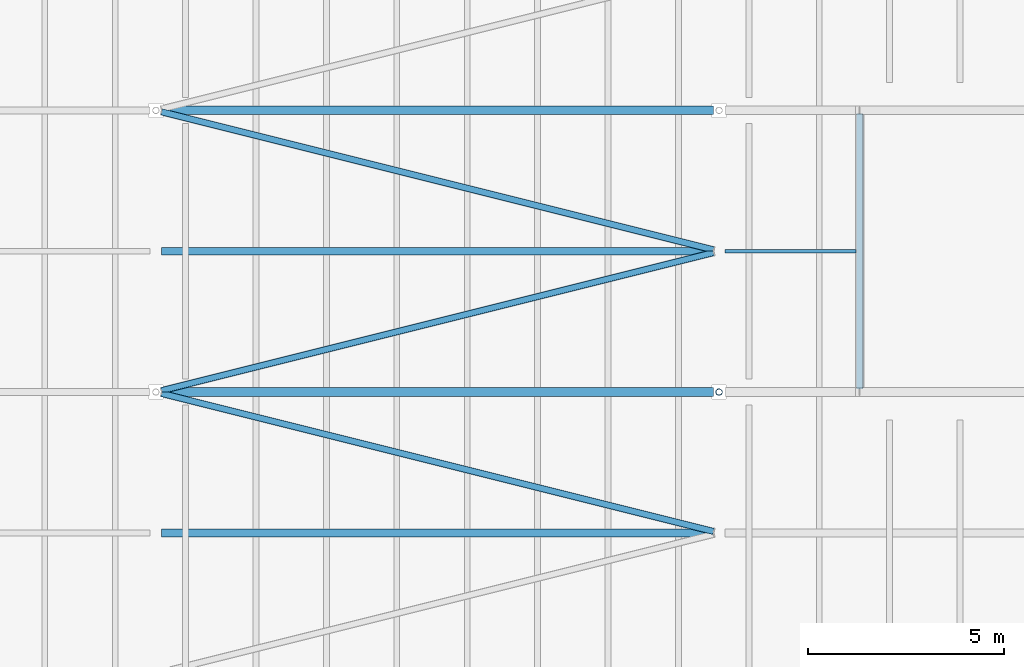
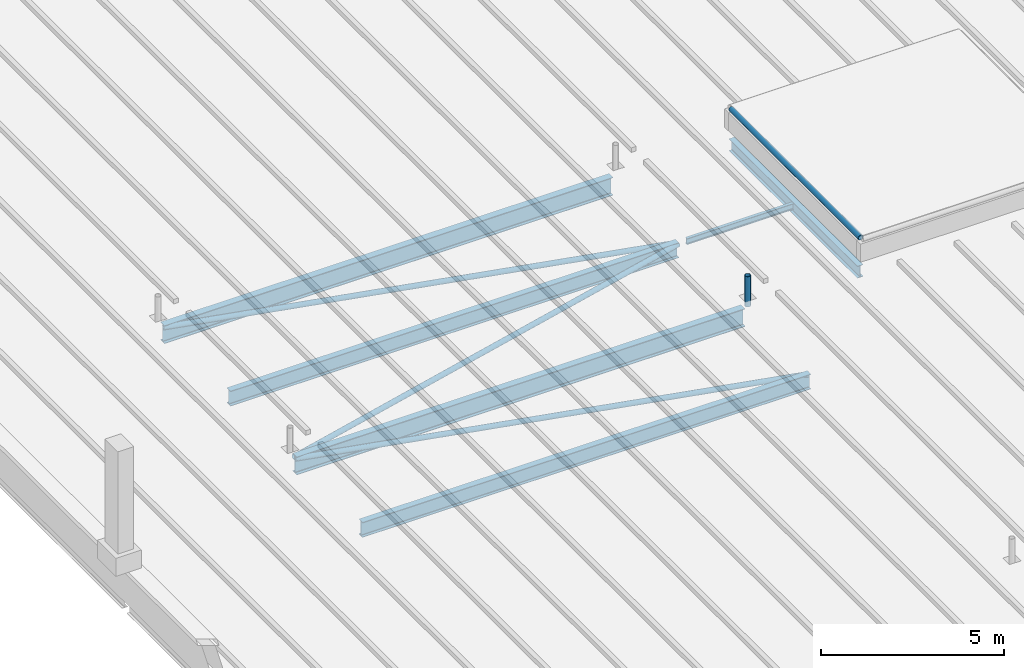
# One storey, part 20 of 120: 6 beams, 5 members.
"""IFC4 building model written with IfcOpenShell, lengths in metres."""

from ifc_helpers import new_model, si_unit, direction, frame, origin, origin_2d, place, context, subcontext, project, spatial, hollow_circle, i_section, extrude, material, material_profile, profile_set, type_object, element, save


model = new_model("IFC4")

# Units and contexts
model_context = context("Model", 3, precision=1e-05, world=origin(), true_north=direction((0.0, 1.0)))
body_context = subcontext(model_context, "Body", "Model", "MODEL_VIEW")
ifc_project = project(units=[si_unit("LENGTHUNIT", "METRE"), si_unit("AREAUNIT", "SQUARE_METRE"), si_unit("VOLUMEUNIT", "CUBIC_METRE"), si_unit("PLANEANGLEUNIT", "RADIAN"), si_unit("MASSUNIT", "GRAM", prefix="KILO")], contexts=[model_context])

# Site, building, storey
site_placement = place(None, origin())
site = spatial("IfcSite", under=ifc_project, at=site_placement, CompositionType="ELEMENT")
building_placement = place(site_placement, origin())
building = spatial("IfcBuilding", under=site, at=building_placement, Name="Kupolbacken Congress Centre", CompositionType="ELEMENT")
storey_placement = place(building_placement, frame((0.0, 0.0, 21.60009765625)))
storey = spatial("IfcBuildingStorey", under=building, at=storey_placement, Name="L06", CompositionType="ELEMENT", Elevation=21.60009765625)

# Beams
ifc_material_1 = material(Name="Steel S355", Category="steel")
ifc_material_profile_1 = material_profile(ifc_material_1, i_section(OverallWidth=0.10009765625, OverallDepth=0.199951171875, WebThickness=0.005615234375, FlangeThickness=0.008544921875, FilletRadius=0.011962890625, at=origin_2d()), Name="IPE 200")
ifc_profile_set_1 = profile_set([ifc_material_profile_1], Name="Steel S355")
beam_type_1 = type_object("IfcBeamType", Name="B01 beam IPE 200", PredefinedType="BEAM", material=ifc_profile_set_1)
beam_1_placement = place(storey_placement, frame((108.14501953125, 79.199951171875, -0.10009765625), z_axis=(1.0, 0.0, 0.0), x_axis=(0.0, 1.0, 0.0)))
element("IfcBeam", 1, at=beam_1_placement, inside=storey, type_object=beam_type_1, Name="HR/P10-02-0", PredefinedType="BEAM", context=body_context, shape_type="SweptSolid", body=[
    extrude(i_section(OverallWidth=0.10009765625, OverallDepth=0.199951171875, WebThickness=0.005615234375, FlangeThickness=0.008544921875, FilletRadius=0.011962890625, at=origin_2d()), origin(), (0.0, 0.0, 1.0), 3.35498046875),
])
ifc_material_2 = material(Name="Steel S355", Category="steel")
ifc_material_profile_2 = material_profile(ifc_material_2, i_section(OverallWidth=0.179931640625, OverallDepth=0.39990234375, WebThickness=0.008544921875, FlangeThickness=0.013427734375, FilletRadius=0.02099609375, at=origin_2d()), Name="IPE 400")
ifc_profile_set_2 = profile_set([ifc_material_profile_2], Name="Steel S355")
beam_type_2 = type_object("IfcBeamType", Name="B07 beam IPE 400", PredefinedType="BEAM", material=ifc_profile_set_2)
beam_2_placement = place(storey_placement, frame((111.60009765625, 75.699951171875, -0.2001953125), z_axis=(0.0, 1.0, 0.0), x_axis=(-1.0, 0.0, 0.0)))
element("IfcBeam", 2, at=beam_2_placement, inside=storey, type_object=beam_type_2, Name="HR/CT2W", PredefinedType="BEAM", context=body_context, shape_type="SweptSolid", body=[
    extrude(i_section(OverallWidth=0.179931640625, OverallDepth=0.39990234375, WebThickness=0.008544921875, FlangeThickness=0.013427734375, FilletRadius=0.02099609375, at=origin_2d()), origin(), (0.0, 0.0, 1.0), 7.0),
])
ifc_material_3 = material(Name="Steel S355", Category="steel")
ifc_material_profile_3 = material_profile(ifc_material_3, i_section(OverallWidth=0.199951171875, OverallDepth=0.5, WebThickness=0.01025390625, FlangeThickness=0.01611328125, FilletRadius=0.02099609375, at=origin_2d()), Name="IPE 500")
ifc_profile_set_3 = profile_set([ifc_material_profile_3], Name="Steel S355")
beam_type_3 = type_object("IfcBeamType", Name="B09 beam IPE 500", PredefinedType="BEAM", material=ifc_profile_set_3)
for number, where, z_axis, x_axis, name in (
    (3, (93.7451171875, 72.0, -0.25), (1.0, 0.0, 0.0), (0.0, 1.0, 0.0), "HR/P08-01"),
    (4, (93.7451171875, 79.199951171875, -0.25), (1.0, 0.0, 0.0), (0.0, 1.0, 0.0), "HR/P10-01"),
):
    element("IfcBeam", number, at=place(storey_placement, frame(where, z_axis=z_axis, x_axis=x_axis)), inside=storey, type_object=beam_type_3, Name=name, PredefinedType="BEAM", context=body_context, shape_type="SweptSolid", body=[
        extrude(i_section(OverallWidth=0.199951171875, OverallDepth=0.5, WebThickness=0.01025390625, FlangeThickness=0.01611328125, FilletRadius=0.02099609375, at=origin_2d()), origin(), (0.0, 0.0, 1.0), 14.10986328125),
    ])
ifc_material_4 = material(Name="Steel S355", Category="steel")
ifc_material_profile_4 = material_profile(ifc_material_4, i_section(OverallWidth=0.219970703125, OverallDepth=0.60009765625, WebThickness=0.011962890625, FlangeThickness=0.01904296875, FilletRadius=0.02392578125, at=origin_2d()), Name="IPE 600")
ifc_profile_set_4 = profile_set([ifc_material_profile_4], Name="Steel S355")
beam_type_4 = type_object("IfcBeamType", Name="B11 beam IPE 600", PredefinedType="BEAM", material=ifc_profile_set_4)
for number, where, z_axis, x_axis, name in (
    (5, (93.7451171875, 75.60009765625, -0.300048828125), (1.0, 0.0, 0.0), (0.0, 1.0, 0.0), "HR/X09-01"),
    (6, (93.7451171875, 82.800048828125, -0.300048828125), (1.0, 0.0, 0.0), (0.0, 1.0, 0.0), "HR/X11-01"),
):
    element("IfcBeam", number, at=place(storey_placement, frame(where, z_axis=z_axis, x_axis=x_axis)), inside=storey, type_object=beam_type_4, Name=name, PredefinedType="BEAM", context=body_context, shape_type="SweptSolid", body=[
        extrude(i_section(OverallWidth=0.219970703125, OverallDepth=0.60009765625, WebThickness=0.011962890625, FlangeThickness=0.01904296875, FilletRadius=0.02392578125, at=origin_2d()), origin(), (0.0, 0.0, 1.0), 14.10986328125),
    ])

# Members
ifc_material_5 = material(Name="Steel S355", Category="steel")
ifc_material_profile_5 = material_profile(ifc_material_5, hollow_circle(Radius=0.084228515625, WallThickness=0.008056640625, at=origin_2d()), Name="CHS 168.3 x 8")
ifc_profile_set_5 = profile_set([ifc_material_profile_5], Name="Steel S355")
member_type_1 = type_object("IfcMemberType", Name="M20 transfer truss post CHS 168.3 x 8", PredefinedType="STRUT", material=ifc_profile_set_5)
member_1_placement = place(storey_placement, frame((108.0, 75.60009765625, -0.010009765625), z_axis=(0.0, 0.0, 1.0), x_axis=(1.0, 0.0, 0.0)))
element("IfcMember", 7, at=member_1_placement, inside=storey, type_object=member_type_1, Name="Roof stay anchor post M2S.2", PredefinedType="STRUT", context=body_context, shape_type="SweptSolid", body=[
    extrude(hollow_circle(Radius=0.084228515625, WallThickness=0.008056640625, at=origin_2d()), origin(), (0.0, 0.0, 1.0), 1.010009765625),
])
ifc_material_6 = material(Name="Steel S355", Category="steel")
ifc_material_profile_6 = material_profile(ifc_material_6, hollow_circle(Radius=0.084228515625, WallThickness=0.008056640625, at=origin_2d()), Name="CHS 168.3 x 8")
ifc_profile_set_6 = profile_set([ifc_material_profile_6], Name="Steel S355")
member_type_2 = type_object("IfcMemberType", Name="M21 brace CHS 168.3 x 8", PredefinedType="BRACE", material=ifc_profile_set_6)
for number, where, z_axis, x_axis, name in (
    (8, (107.859375, 72.03515625, -0.084228515625), (-0.970140526498, 0.24254351949, 0.0), (-0.24254351949, -0.970140526498, 0.0), "HR/RB/01-08"),
    (9, (93.74072265625, 75.63525390625, -0.084228515625), (0.970144473737, 0.242527730535, 0.0), (-0.242527730535, 0.970144473737, 0.0), "HR/RB/01-09"),
    (10, (107.859375, 79.235107421875, -0.084228515625), (-0.970140526498, 0.24254351949, 0.0), (-0.24254351949, -0.970140526498, 0.0), "HR/RB/01-10"),
):
    element("IfcMember", number, at=place(storey_placement, frame(where, z_axis=z_axis, x_axis=x_axis)), inside=storey, type_object=member_type_2, Name=name, PredefinedType="BRACE", context=body_context, shape_type="SweptSolid", body=[
        extrude(hollow_circle(Radius=0.084228515625, WallThickness=0.008056640625, at=origin_2d()), origin(), (0.0, 0.0, 1.0), 14.55322265625),
    ])
member_2_placement = place(storey_placement, frame((111.60009765625, 75.674072265625, 0.944091796875), z_axis=(0.0, 1.0, 0.0), x_axis=(-1.0, 0.0, 0.0)))
element("IfcMember", 11, at=member_2_placement, inside=storey, type_object=member_type_2, Name="RD/RL2/FW", PredefinedType="BRACE", context=body_context, shape_type="SweptSolid", body=[
    extrude(hollow_circle(Radius=0.084228515625, WallThickness=0.008056640625, at=origin_2d()), origin(), (0.0, 0.0, 1.0), 7.0517578125),
])

save(model, "model.ifc")
